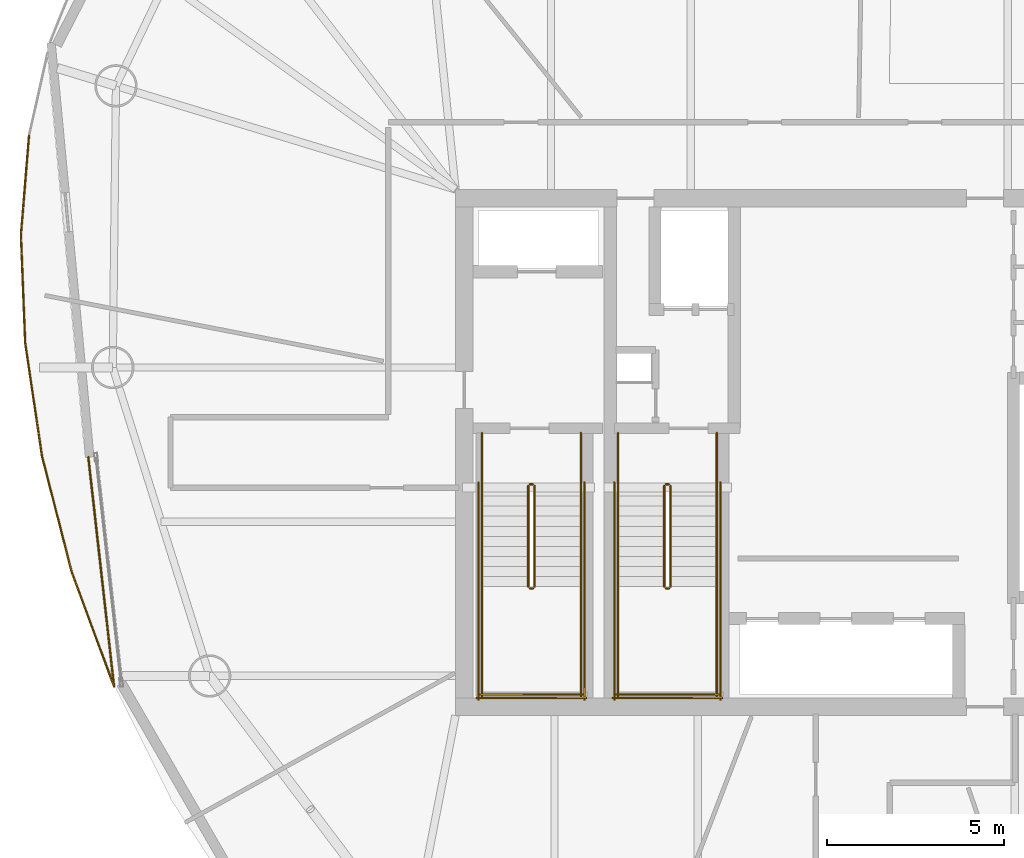
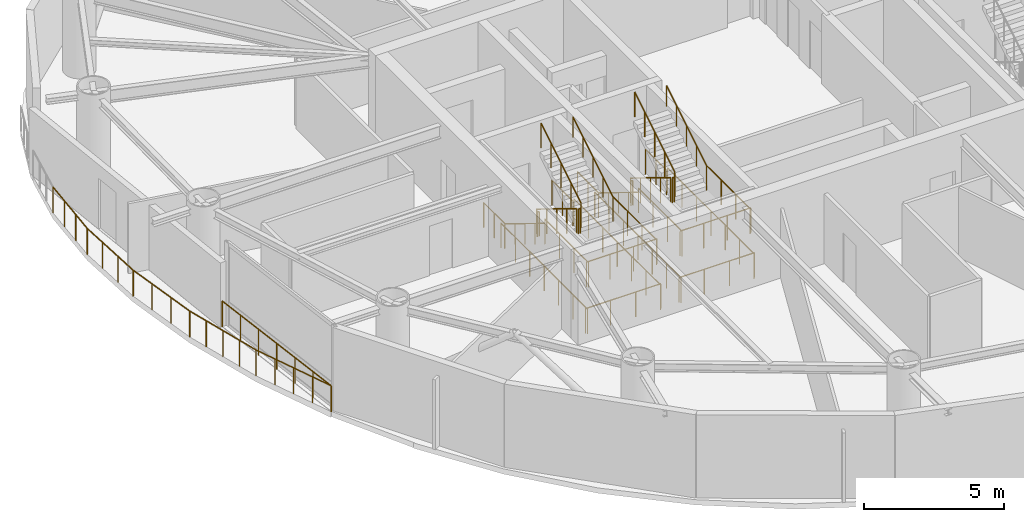
# One storey, part 16 of 18: 34 railings.
"""IFC4 building model written with IfcOpenShell, lengths in metres."""

from ifc_helpers import new_model, si_unit, direction, frame, origin, origin_2d, place, context, subcontext, project, spatial, circle, extrude, material, type_object, element, save


model = new_model("IFC4")

# Units and contexts
model_context = context("Model", 3, precision=1e-05, world=origin(), true_north=direction((0.0, 1.0)))
body_context = subcontext(model_context, "Body", "Model", "MODEL_VIEW")
ifc_project = project(units=[si_unit("LENGTHUNIT", "METRE"), si_unit("AREAUNIT", "SQUARE_METRE"), si_unit("VOLUMEUNIT", "CUBIC_METRE"), si_unit("PLANEANGLEUNIT", "RADIAN"), si_unit("MASSUNIT", "GRAM", prefix="KILO")], contexts=[model_context])

# Site, building, storey
site_placement = place(None, origin())
site = spatial("IfcSite", under=ifc_project, at=site_placement, CompositionType="ELEMENT")
building_placement = place(site_placement, origin())
building = spatial("IfcBuilding", under=site, at=building_placement, Name="Bramvorn Convention Spire", CompositionType="ELEMENT")
storey_placement = place(building_placement, frame((0.0, 0.0, 182.75)))
storey = spatial("IfcBuildingStorey", under=building, at=storey_placement, Name="L46", CompositionType="ELEMENT", Elevation=182.75)

# Railings
ifc_material_1 = material(Name="Painted Steel Balustrade & Guardrail", Category="steel")
railing_type_1 = type_object("IfcRailingType", Name="RL-STAIR-GUARD-1100", PredefinedType="GUARDRAIL", material=ifc_material_1)
railing_1_placement = place(storey_placement, frame((28.81005859375, 25.050048828125, 0.175048828125)))
element("IfcRailing", 1, at=railing_1_placement, inside=storey, type_object=railing_type_1, Name="L46 ST1 stair guard 1", PredefinedType="GUARDRAIL", context=body_context, shape_type="SweptSolid", body=[
    extrude(circle(Radius=0.02392578125, at=origin_2d()), frame((0.0, 0.0, 1.076171875), z_axis=(0.0, -0.852179220489, 0.52325001306), x_axis=(1.0, 0.0, 0.0)), (0.0, 0.0, 1.0), 3.344482421875),
    extrude(circle(Radius=0.02099609375, at=origin_2d()), origin(), (0.0, 0.0, 1.0), 1.052001953125),
    extrude(circle(Radius=0.02099609375, at=origin_2d()), frame((0.0, -0.71240234375, 0.4375)), (0.0, 0.0, 1.0), 1.052001953125),
    extrude(circle(Radius=0.02099609375, at=origin_2d()), frame((0.0, -1.425048828125, 0.875)), (0.0, 0.0, 1.0), 1.052001953125),
    extrude(circle(Radius=0.02099609375, at=origin_2d()), frame((0.0, -2.1376953125, 1.3125)), (0.0, 0.0, 1.0), 1.052001953125),
    extrude(circle(Radius=0.02099609375, at=origin_2d()), frame((0.0, -2.85009765625, 1.75)), (0.0, 0.0, 1.0), 1.052001953125),
])
railing_2_placement = place(storey_placement, frame((28.860107421875, 22.14990234375, 1.925048828125)))
element("IfcRailing", 2, at=railing_2_placement, inside=storey, type_object=railing_type_1, Name="L46 ST1 stair guard 2", PredefinedType="GUARDRAIL", context=body_context, shape_type="SweptSolid", body=[
    extrude(circle(Radius=0.02392578125, at=origin_2d()), frame((0.0, 0.0, 1.076171875), z_axis=(1.0, 0.0, 0.0), x_axis=(0.0, 1.0, 0.0)), (0.0, 0.0, 1.0), 0.079833984375),
    extrude(circle(Radius=0.02099609375, at=origin_2d()), origin(), (0.0, 0.0, 1.0), 1.052001953125),
    extrude(circle(Radius=0.02099609375, at=origin_2d()), frame((0.079833984375, 0.0, 0.0)), (0.0, 0.0, 1.0), 1.052001953125),
])
for number, where, name in (
    (3, (27.5, 22.199951171875, 1.925048828125), "L46 ST1 stair guard 3"),
    (4, (30.300048828125, 22.199951171875, 1.925048828125), "L46 ST1 stair guard 4"),
):
    element("IfcRailing", number, at=place(storey_placement, frame(where)), inside=storey, type_object=railing_type_1, Name=name, PredefinedType="GUARDRAIL", context=body_context, shape_type="SweptSolid", body=[
        extrude(circle(Radius=0.02392578125, at=origin_2d()), frame((0.0, 0.0, 1.076171875), z_axis=(0.0, -1.0, 0.0), x_axis=(1.0, 0.0, 0.0)), (0.0, 0.0, 1.0), 3.099853515625),
        extrude(circle(Radius=0.02099609375, at=origin_2d()), origin(), (0.0, 0.0, 1.0), 1.052001953125),
        extrude(circle(Radius=0.02099609375, at=origin_2d()), frame((0.0, -1.033203125, 0.0)), (0.0, 0.0, 1.0), 1.052001953125),
        extrude(circle(Radius=0.02099609375, at=origin_2d()), frame((0.0, -2.066650390625, 0.0)), (0.0, 0.0, 1.0), 1.052001953125),
        extrude(circle(Radius=0.02099609375, at=origin_2d()), frame((0.0, -3.099853515625, 0.0)), (0.0, 0.0, 1.0), 1.052001953125),
    ])
railing_3_placement = place(storey_placement, frame((27.449951171875, 19.14990234375, 1.925048828125)))
element("IfcRailing", 5, at=railing_3_placement, inside=storey, type_object=railing_type_1, Name="L46 ST1 stair guard 5", PredefinedType="GUARDRAIL", context=body_context, shape_type="SweptSolid", body=[
    extrude(circle(Radius=0.02392578125, at=origin_2d()), frame((0.0, 0.0, 1.076171875), z_axis=(1.0, 0.0, 0.0), x_axis=(0.0, 1.0, 0.0)), (0.0, 0.0, 1.0), 2.900146484375),
    extrude(circle(Radius=0.02099609375, at=origin_2d()), origin(), (0.0, 0.0, 1.0), 1.052001953125),
    extrude(circle(Radius=0.02099609375, at=origin_2d()), frame((0.966796875, 0.0, 0.0)), (0.0, 0.0, 1.0), 1.052001953125),
    extrude(circle(Radius=0.02099609375, at=origin_2d()), frame((1.933349609375, 0.0, 0.0)), (0.0, 0.0, 1.0), 1.052001953125),
    extrude(circle(Radius=0.02099609375, at=origin_2d()), frame((2.900146484375, 0.0, 0.0)), (0.0, 0.0, 1.0), 1.052001953125),
])
railing_4_placement = place(storey_placement, frame((28.989990234375, 22.199951171875, 2.10009765625)))
element("IfcRailing", 6, at=railing_4_placement, inside=storey, type_object=railing_type_1, Name="L46 ST1 stair guard 6", PredefinedType="GUARDRAIL", context=body_context, shape_type="SweptSolid", body=[
    extrude(circle(Radius=0.02392578125, at=origin_2d()), frame((0.0, 0.0, 1.076171875), z_axis=(0.0, 0.852179220489, 0.52325001306), x_axis=(-1.0, 0.0, 0.0)), (0.0, 0.0, 1.0), 3.344482421875),
    extrude(circle(Radius=0.02099609375, at=origin_2d()), origin(), (0.0, 0.0, 1.0), 1.052001953125),
    extrude(circle(Radius=0.02099609375, at=origin_2d()), frame((0.0, 0.71240234375, 0.4375)), (0.0, 0.0, 1.0), 1.052001953125),
    extrude(circle(Radius=0.02099609375, at=origin_2d()), frame((0.0, 1.425048828125, 0.875)), (0.0, 0.0, 1.0), 1.052001953125),
    extrude(circle(Radius=0.02099609375, at=origin_2d()), frame((0.0, 2.1376953125, 1.3125)), (0.0, 0.0, 1.0), 1.052001953125),
    extrude(circle(Radius=0.02099609375, at=origin_2d()), frame((0.0, 2.85009765625, 1.75)), (0.0, 0.0, 1.0), 1.052001953125),
])
railing_5_placement = place(storey_placement, frame((28.860107421875, 25.10009765625, 0.0)))
element("IfcRailing", 7, at=railing_5_placement, inside=storey, type_object=railing_type_1, Name="L46 ST1 stair guard 7", PredefinedType="GUARDRAIL", context=body_context, shape_type="SweptSolid", body=[
    extrude(circle(Radius=0.02392578125, at=origin_2d()), frame((0.0, 0.0, 1.076171875), z_axis=(1.0, 0.0, 0.0), x_axis=(0.0, 1.0, 0.0)), (0.0, 0.0, 1.0), 0.079833984375),
    extrude(circle(Radius=0.02099609375, at=origin_2d()), origin(), (0.0, 0.0, 1.0), 1.052001953125),
    extrude(circle(Radius=0.02099609375, at=origin_2d()), frame((0.079833984375, 0.0, 0.0)), (0.0, 0.0, 1.0), 1.052001953125),
])
for number, where, name in (
    (8, (27.5, 26.550048828125, 0.0), "L46 ST1 stair guard 8"),
    (9, (30.300048828125, 26.550048828125, 0.0), "L46 ST1 stair guard 9"),
):
    element("IfcRailing", number, at=place(storey_placement, frame(where)), inside=storey, type_object=railing_type_1, Name=name, PredefinedType="GUARDRAIL", context=body_context, shape_type="SweptSolid", body=[
        extrude(circle(Radius=0.02392578125, at=origin_2d()), frame((0.0, 0.0, 1.076171875), z_axis=(0.0, -1.0, 0.0), x_axis=(1.0, 0.0, 0.0)), (0.0, 0.0, 1.0), 1.5),
        extrude(circle(Radius=0.02099609375, at=origin_2d()), origin(), (0.0, 0.0, 1.0), 1.052001953125),
        extrude(circle(Radius=0.02099609375, at=origin_2d()), frame((0.0, -0.75, 0.0)), (0.0, 0.0, 1.0), 1.052001953125),
        extrude(circle(Radius=0.02099609375, at=origin_2d()), frame((0.0, -1.5, 0.0)), (0.0, 0.0, 1.0), 1.052001953125),
    ])
for number, where, name in (
    (10, (27.39990234375, 25.14990234375, 0.0), "L46 ST1 stair guard 10"),
    (11, (30.39990234375, 25.14990234375, 0.0), "L46 ST1 stair guard 11"),
):
    element("IfcRailing", number, at=place(storey_placement, frame(where)), inside=storey, type_object=railing_type_1, Name=name, PredefinedType="GUARDRAIL", context=body_context, shape_type="SweptSolid", body=[
        extrude(circle(Radius=0.02392578125, at=origin_2d()), frame((0.0, 0.0, 1.076171875), z_axis=(0.0, -1.0, 0.0), x_axis=(1.0, 0.0, 0.0)), (0.0, 0.0, 1.0), 6.14990234375),
        extrude(circle(Radius=0.02099609375, at=origin_2d()), origin(), (0.0, 0.0, 1.0), 1.052001953125),
        extrude(circle(Radius=0.02099609375, at=origin_2d()), frame((0.0, -1.02490234375, 0.0)), (0.0, 0.0, 1.0), 1.052001953125),
        extrude(circle(Radius=0.02099609375, at=origin_2d()), frame((0.0, -2.050048828125, 0.0)), (0.0, 0.0, 1.0), 1.052001953125),
        extrude(circle(Radius=0.02099609375, at=origin_2d()), frame((0.0, -3.074951171875, 0.0)), (0.0, 0.0, 1.0), 1.052001953125),
        extrude(circle(Radius=0.02099609375, at=origin_2d()), frame((0.0, -4.099853515625, 0.0)), (0.0, 0.0, 1.0), 1.052001953125),
        extrude(circle(Radius=0.02099609375, at=origin_2d()), frame((0.0, -5.125, 0.0)), (0.0, 0.0, 1.0), 1.052001953125),
        extrude(circle(Radius=0.02099609375, at=origin_2d()), frame((0.0, -6.14990234375, 0.0)), (0.0, 0.0, 1.0), 1.052001953125),
    ])
railing_6_placement = place(storey_placement, frame((27.35009765625, 19.050048828125, 0.0)))
element("IfcRailing", 12, at=railing_6_placement, inside=storey, type_object=railing_type_1, Name="L46 ST1 stair guard 12", PredefinedType="GUARDRAIL", context=body_context, shape_type="SweptSolid", body=[
    extrude(circle(Radius=0.02392578125, at=origin_2d()), frame((0.0, 0.0, 1.076171875), z_axis=(1.0, 0.0, 0.0), x_axis=(0.0, 1.0, 0.0)), (0.0, 0.0, 1.0), 3.099853515625),
    extrude(circle(Radius=0.02099609375, at=origin_2d()), origin(), (0.0, 0.0, 1.0), 1.052001953125),
    extrude(circle(Radius=0.02099609375, at=origin_2d()), frame((1.033203125, 0.0, 0.0)), (0.0, 0.0, 1.0), 1.052001953125),
    extrude(circle(Radius=0.02099609375, at=origin_2d()), frame((2.066650390625, 0.0, 0.0)), (0.0, 0.0, 1.0), 1.052001953125),
    extrude(circle(Radius=0.02099609375, at=origin_2d()), frame((3.099853515625, 0.0, 0.0)), (0.0, 0.0, 1.0), 1.052001953125),
])
railing_7_placement = place(storey_placement, frame((32.659912109375, 25.050048828125, 0.175048828125)))
element("IfcRailing", 13, at=railing_7_placement, inside=storey, type_object=railing_type_1, Name="L46 ST3 stair guard 1", PredefinedType="GUARDRAIL", context=body_context, shape_type="SweptSolid", body=[
    extrude(circle(Radius=0.02392578125, at=origin_2d()), frame((0.0, 0.0, 1.076171875), z_axis=(0.0, -0.852179220489, 0.52325001306), x_axis=(1.0, 0.0, 0.0)), (0.0, 0.0, 1.0), 3.344482421875),
    extrude(circle(Radius=0.02099609375, at=origin_2d()), origin(), (0.0, 0.0, 1.0), 1.052001953125),
    extrude(circle(Radius=0.02099609375, at=origin_2d()), frame((0.0, -0.71240234375, 0.4375)), (0.0, 0.0, 1.0), 1.052001953125),
    extrude(circle(Radius=0.02099609375, at=origin_2d()), frame((0.0, -1.425048828125, 0.875)), (0.0, 0.0, 1.0), 1.052001953125),
    extrude(circle(Radius=0.02099609375, at=origin_2d()), frame((0.0, -2.1376953125, 1.3125)), (0.0, 0.0, 1.0), 1.052001953125),
    extrude(circle(Radius=0.02099609375, at=origin_2d()), frame((0.0, -2.85009765625, 1.75)), (0.0, 0.0, 1.0), 1.052001953125),
])
railing_8_placement = place(storey_placement, frame((32.7099609375, 22.14990234375, 1.925048828125)))
element("IfcRailing", 14, at=railing_8_placement, inside=storey, type_object=railing_type_1, Name="L46 ST3 stair guard 2", PredefinedType="GUARDRAIL", context=body_context, shape_type="SweptSolid", body=[
    extrude(circle(Radius=0.02392578125, at=origin_2d()), frame((0.0, 0.0, 1.076171875), z_axis=(1.0, 0.0, 0.0), x_axis=(0.0, 1.0, 0.0)), (0.0, 0.0, 1.0), 0.080078125),
    extrude(circle(Radius=0.02099609375, at=origin_2d()), origin(), (0.0, 0.0, 1.0), 1.052001953125),
    extrude(circle(Radius=0.02099609375, at=origin_2d()), frame((0.080078125, 0.0, 0.0)), (0.0, 0.0, 1.0), 1.052001953125),
])
for number, where, name in (
    (15, (31.35009765625, 22.199951171875, 1.925048828125), "L46 ST3 stair guard 3"),
    (16, (34.14990234375, 22.199951171875, 1.925048828125), "L46 ST3 stair guard 4"),
):
    element("IfcRailing", number, at=place(storey_placement, frame(where)), inside=storey, type_object=railing_type_1, Name=name, PredefinedType="GUARDRAIL", context=body_context, shape_type="SweptSolid", body=[
        extrude(circle(Radius=0.02392578125, at=origin_2d()), frame((0.0, 0.0, 1.076171875), z_axis=(0.0, -1.0, 0.0), x_axis=(1.0, 0.0, 0.0)), (0.0, 0.0, 1.0), 3.099853515625),
        extrude(circle(Radius=0.02099609375, at=origin_2d()), origin(), (0.0, 0.0, 1.0), 1.052001953125),
        extrude(circle(Radius=0.02099609375, at=origin_2d()), frame((0.0, -1.033203125, 0.0)), (0.0, 0.0, 1.0), 1.052001953125),
        extrude(circle(Radius=0.02099609375, at=origin_2d()), frame((0.0, -2.066650390625, 0.0)), (0.0, 0.0, 1.0), 1.052001953125),
        extrude(circle(Radius=0.02099609375, at=origin_2d()), frame((0.0, -3.099853515625, 0.0)), (0.0, 0.0, 1.0), 1.052001953125),
    ])
railing_9_placement = place(storey_placement, frame((31.300048828125, 19.14990234375, 1.925048828125)))
element("IfcRailing", 17, at=railing_9_placement, inside=storey, type_object=railing_type_1, Name="L46 ST3 stair guard 5", PredefinedType="GUARDRAIL", context=body_context, shape_type="SweptSolid", body=[
    extrude(circle(Radius=0.02392578125, at=origin_2d()), frame((0.0, 0.0, 1.076171875), z_axis=(1.0, 0.0, 0.0), x_axis=(0.0, 1.0, 0.0)), (0.0, 0.0, 1.0), 2.89990234375),
    extrude(circle(Radius=0.02099609375, at=origin_2d()), origin(), (0.0, 0.0, 1.0), 1.052001953125),
    extrude(circle(Radius=0.02099609375, at=origin_2d()), frame((0.966552734375, 0.0, 0.0)), (0.0, 0.0, 1.0), 1.052001953125),
    extrude(circle(Radius=0.02099609375, at=origin_2d()), frame((1.933349609375, 0.0, 0.0)), (0.0, 0.0, 1.0), 1.052001953125),
    extrude(circle(Radius=0.02099609375, at=origin_2d()), frame((2.89990234375, 0.0, 0.0)), (0.0, 0.0, 1.0), 1.052001953125),
])
railing_10_placement = place(storey_placement, frame((32.840087890625, 22.199951171875, 2.10009765625)))
element("IfcRailing", 18, at=railing_10_placement, inside=storey, type_object=railing_type_1, Name="L46 ST3 stair guard 6", PredefinedType="GUARDRAIL", context=body_context, shape_type="SweptSolid", body=[
    extrude(circle(Radius=0.02392578125, at=origin_2d()), frame((0.0, 0.0, 1.076171875), z_axis=(0.0, 0.852179220489, 0.52325001306), x_axis=(-1.0, 0.0, 0.0)), (0.0, 0.0, 1.0), 3.344482421875),
    extrude(circle(Radius=0.02099609375, at=origin_2d()), origin(), (0.0, 0.0, 1.0), 1.052001953125),
    extrude(circle(Radius=0.02099609375, at=origin_2d()), frame((0.0, 0.71240234375, 0.4375)), (0.0, 0.0, 1.0), 1.052001953125),
    extrude(circle(Radius=0.02099609375, at=origin_2d()), frame((0.0, 1.425048828125, 0.875)), (0.0, 0.0, 1.0), 1.052001953125),
    extrude(circle(Radius=0.02099609375, at=origin_2d()), frame((0.0, 2.1376953125, 1.3125)), (0.0, 0.0, 1.0), 1.052001953125),
    extrude(circle(Radius=0.02099609375, at=origin_2d()), frame((0.0, 2.85009765625, 1.75)), (0.0, 0.0, 1.0), 1.052001953125),
])
railing_11_placement = place(storey_placement, frame((32.7099609375, 25.10009765625, 0.0)))
element("IfcRailing", 19, at=railing_11_placement, inside=storey, type_object=railing_type_1, Name="L46 ST3 stair guard 7", PredefinedType="GUARDRAIL", context=body_context, shape_type="SweptSolid", body=[
    extrude(circle(Radius=0.02392578125, at=origin_2d()), frame((0.0, 0.0, 1.076171875), z_axis=(1.0, 0.0, 0.0), x_axis=(0.0, 1.0, 0.0)), (0.0, 0.0, 1.0), 0.080078125),
    extrude(circle(Radius=0.02099609375, at=origin_2d()), origin(), (0.0, 0.0, 1.0), 1.052001953125),
    extrude(circle(Radius=0.02099609375, at=origin_2d()), frame((0.080078125, 0.0, 0.0)), (0.0, 0.0, 1.0), 1.052001953125),
])
for number, where, name in (
    (20, (31.35009765625, 26.550048828125, 0.0), "L46 ST3 stair guard 8"),
    (21, (34.14990234375, 26.550048828125, 0.0), "L46 ST3 stair guard 9"),
):
    element("IfcRailing", number, at=place(storey_placement, frame(where)), inside=storey, type_object=railing_type_1, Name=name, PredefinedType="GUARDRAIL", context=body_context, shape_type="SweptSolid", body=[
        extrude(circle(Radius=0.02392578125, at=origin_2d()), frame((0.0, 0.0, 1.076171875), z_axis=(0.0, -1.0, 0.0), x_axis=(1.0, 0.0, 0.0)), (0.0, 0.0, 1.0), 1.5),
        extrude(circle(Radius=0.02099609375, at=origin_2d()), origin(), (0.0, 0.0, 1.0), 1.052001953125),
        extrude(circle(Radius=0.02099609375, at=origin_2d()), frame((0.0, -0.75, 0.0)), (0.0, 0.0, 1.0), 1.052001953125),
        extrude(circle(Radius=0.02099609375, at=origin_2d()), frame((0.0, -1.5, 0.0)), (0.0, 0.0, 1.0), 1.052001953125),
    ])
for number, where, name in (
    (22, (31.25, 25.14990234375, 0.0), "L46 ST3 stair guard 10"),
    (23, (34.25, 25.14990234375, 0.0), "L46 ST3 stair guard 11"),
):
    element("IfcRailing", number, at=place(storey_placement, frame(where)), inside=storey, type_object=railing_type_1, Name=name, PredefinedType="GUARDRAIL", context=body_context, shape_type="SweptSolid", body=[
        extrude(circle(Radius=0.02392578125, at=origin_2d()), frame((0.0, 0.0, 1.076171875), z_axis=(0.0, -1.0, 0.0), x_axis=(1.0, 0.0, 0.0)), (0.0, 0.0, 1.0), 6.14990234375),
        extrude(circle(Radius=0.02099609375, at=origin_2d()), origin(), (0.0, 0.0, 1.0), 1.052001953125),
        extrude(circle(Radius=0.02099609375, at=origin_2d()), frame((0.0, -1.02490234375, 0.0)), (0.0, 0.0, 1.0), 1.052001953125),
        extrude(circle(Radius=0.02099609375, at=origin_2d()), frame((0.0, -2.050048828125, 0.0)), (0.0, 0.0, 1.0), 1.052001953125),
        extrude(circle(Radius=0.02099609375, at=origin_2d()), frame((0.0, -3.074951171875, 0.0)), (0.0, 0.0, 1.0), 1.052001953125),
        extrude(circle(Radius=0.02099609375, at=origin_2d()), frame((0.0, -4.099853515625, 0.0)), (0.0, 0.0, 1.0), 1.052001953125),
        extrude(circle(Radius=0.02099609375, at=origin_2d()), frame((0.0, -5.125, 0.0)), (0.0, 0.0, 1.0), 1.052001953125),
        extrude(circle(Radius=0.02099609375, at=origin_2d()), frame((0.0, -6.14990234375, 0.0)), (0.0, 0.0, 1.0), 1.052001953125),
    ])
railing_12_placement = place(storey_placement, frame((31.199951171875, 19.050048828125, 0.0)))
element("IfcRailing", 24, at=railing_12_placement, inside=storey, type_object=railing_type_1, Name="L46 ST3 stair guard 12", PredefinedType="GUARDRAIL", context=body_context, shape_type="SweptSolid", body=[
    extrude(circle(Radius=0.02392578125, at=origin_2d()), frame((0.0, 0.0, 1.076171875), z_axis=(1.0, 0.0, 0.0), x_axis=(0.0, 1.0, 0.0)), (0.0, 0.0, 1.0), 3.10009765625),
    extrude(circle(Radius=0.02099609375, at=origin_2d()), origin(), (0.0, 0.0, 1.0), 1.052001953125),
    extrude(circle(Radius=0.02099609375, at=origin_2d()), frame((1.033447265625, 0.0, 0.0)), (0.0, 0.0, 1.0), 1.052001953125),
    extrude(circle(Radius=0.02099609375, at=origin_2d()), frame((2.066650390625, 0.0, 0.0)), (0.0, 0.0, 1.0), 1.052001953125),
    extrude(circle(Radius=0.02099609375, at=origin_2d()), frame((3.10009765625, 0.0, 0.0)), (0.0, 0.0, 1.0), 1.052001953125),
])
ifc_material_2 = material(Name="Brushed Bronze Tubular Handrail", Category="aluminium")
railing_type_2 = type_object("IfcRailingType", Name="RL-STAIR-HR-920", PredefinedType="HANDRAIL", material=ifc_material_2)
railing_13_placement = place(storey_placement, frame((27.5, 25.050048828125, 0.175048828125)))
element("IfcRailing", 25, at=railing_13_placement, inside=storey, type_object=railing_type_2, Name="L46 ST1 stair handrail 1", PredefinedType="HANDRAIL", context=body_context, shape_type="SweptSolid", body=[
    extrude(circle(Radius=0.02392578125, at=origin_2d()), frame((0.0, 0.0, 0.89599609375), z_axis=(0.0, -0.852179220489, 0.52325001306), x_axis=(1.0, 0.0, 0.0)), (0.0, 0.0, 1.0), 3.344482421875),
    extrude(circle(Radius=0.02099609375, at=origin_2d()), origin(), (0.0, 0.0, 1.0), 0.871826171875),
    extrude(circle(Radius=0.02099609375, at=origin_2d()), frame((0.0, -0.71240234375, 0.4375)), (0.0, 0.0, 1.0), 0.871826171875),
    extrude(circle(Radius=0.02099609375, at=origin_2d()), frame((0.0, -1.425048828125, 0.875)), (0.0, 0.0, 1.0), 0.871826171875),
    extrude(circle(Radius=0.02099609375, at=origin_2d()), frame((0.0, -2.1376953125, 1.3125)), (0.0, 0.0, 1.0), 0.871826171875),
    extrude(circle(Radius=0.02099609375, at=origin_2d()), frame((0.0, -2.85009765625, 1.75)), (0.0, 0.0, 1.0), 0.871826171875),
])
railing_14_placement = place(storey_placement, frame((30.300048828125, 22.199951171875, 2.10009765625)))
element("IfcRailing", 26, at=railing_14_placement, inside=storey, type_object=railing_type_2, Name="L46 ST1 stair handrail 2", PredefinedType="HANDRAIL", context=body_context, shape_type="SweptSolid", body=[
    extrude(circle(Radius=0.02392578125, at=origin_2d()), frame((0.0, 0.0, 0.89599609375), z_axis=(0.0, 0.852179220489, 0.52325001306), x_axis=(-1.0, 0.0, 0.0)), (0.0, 0.0, 1.0), 3.344482421875),
    extrude(circle(Radius=0.02099609375, at=origin_2d()), origin(), (0.0, 0.0, 1.0), 0.871826171875),
    extrude(circle(Radius=0.02099609375, at=origin_2d()), frame((0.0, 0.71240234375, 0.4375)), (0.0, 0.0, 1.0), 0.871826171875),
    extrude(circle(Radius=0.02099609375, at=origin_2d()), frame((0.0, 1.425048828125, 0.875)), (0.0, 0.0, 1.0), 0.871826171875),
    extrude(circle(Radius=0.02099609375, at=origin_2d()), frame((0.0, 2.1376953125, 1.3125)), (0.0, 0.0, 1.0), 0.871826171875),
    extrude(circle(Radius=0.02099609375, at=origin_2d()), frame((0.0, 2.85009765625, 1.75)), (0.0, 0.0, 1.0), 0.871826171875),
])
railing_15_placement = place(storey_placement, frame((31.35009765625, 25.050048828125, 0.175048828125)))
element("IfcRailing", 27, at=railing_15_placement, inside=storey, type_object=railing_type_2, Name="L46 ST3 stair handrail 1", PredefinedType="HANDRAIL", context=body_context, shape_type="SweptSolid", body=[
    extrude(circle(Radius=0.02392578125, at=origin_2d()), frame((0.0, 0.0, 0.89599609375), z_axis=(0.0, -0.852179220489, 0.52325001306), x_axis=(1.0, 0.0, 0.0)), (0.0, 0.0, 1.0), 3.344482421875),
    extrude(circle(Radius=0.02099609375, at=origin_2d()), origin(), (0.0, 0.0, 1.0), 0.871826171875),
    extrude(circle(Radius=0.02099609375, at=origin_2d()), frame((0.0, -0.71240234375, 0.4375)), (0.0, 0.0, 1.0), 0.871826171875),
    extrude(circle(Radius=0.02099609375, at=origin_2d()), frame((0.0, -1.425048828125, 0.875)), (0.0, 0.0, 1.0), 0.871826171875),
    extrude(circle(Radius=0.02099609375, at=origin_2d()), frame((0.0, -2.1376953125, 1.3125)), (0.0, 0.0, 1.0), 0.871826171875),
    extrude(circle(Radius=0.02099609375, at=origin_2d()), frame((0.0, -2.85009765625, 1.75)), (0.0, 0.0, 1.0), 0.871826171875),
])
railing_16_placement = place(storey_placement, frame((34.14990234375, 22.199951171875, 2.10009765625)))
element("IfcRailing", 28, at=railing_16_placement, inside=storey, type_object=railing_type_2, Name="L46 ST3 stair handrail 2", PredefinedType="HANDRAIL", context=body_context, shape_type="SweptSolid", body=[
    extrude(circle(Radius=0.02392578125, at=origin_2d()), frame((0.0, 0.0, 0.89599609375), z_axis=(0.0, 0.852179220489, 0.52325001306), x_axis=(-1.0, 0.0, 0.0)), (0.0, 0.0, 1.0), 3.344482421875),
    extrude(circle(Radius=0.02099609375, at=origin_2d()), origin(), (0.0, 0.0, 1.0), 0.871826171875),
    extrude(circle(Radius=0.02099609375, at=origin_2d()), frame((0.0, 0.71240234375, 0.4375)), (0.0, 0.0, 1.0), 0.871826171875),
    extrude(circle(Radius=0.02099609375, at=origin_2d()), frame((0.0, 1.425048828125, 0.875)), (0.0, 0.0, 1.0), 0.871826171875),
    extrude(circle(Radius=0.02099609375, at=origin_2d()), frame((0.0, 2.1376953125, 1.3125)), (0.0, 0.0, 1.0), 0.871826171875),
    extrude(circle(Radius=0.02099609375, at=origin_2d()), frame((0.0, 2.85009765625, 1.75)), (0.0, 0.0, 1.0), 0.871826171875),
])
ifc_material_3 = material(Name="Bronze Cap-Rail & Laminated Structural Glass Balustrade", Category="glass")
railing_type_3 = type_object("IfcRailingType", Name="RL-TERR-GUARD-1150", PredefinedType="GUARDRAIL", material=ifc_material_3)
railing_17_placement = place(storey_placement, frame((15.039306640625, 25.902587890625, 0.0)))
element("IfcRailing", 29, at=railing_17_placement, inside=storey, type_object=railing_type_3, Name="L46 Sky Garden perimeter safety guardrail 1", PredefinedType="GUARDRAIL", context=body_context, shape_type="SweptSolid", body=[
    extrude(circle(Radius=0.02392578125, at=origin_2d()), frame((0.0, 0.0, 1.1259765625), z_axis=(0.247853754322, -0.96879745895, 0.0), x_axis=(0.96879745895, 0.247853754322, 0.0)), (0.0, 0.0, 1.0), 3.378662109375),
    extrude(circle(Radius=0.02099609375, at=origin_2d()), origin(), (0.0, 0.0, 1.0), 1.101806640625),
    extrude(circle(Radius=0.02099609375, at=origin_2d()), frame((0.20947265625, -0.818359375, 0.0)), (0.0, 0.0, 1.0), 1.101806640625),
    extrude(circle(Radius=0.02099609375, at=origin_2d()), frame((0.418701171875, -1.63671875, 0.0)), (0.0, 0.0, 1.0), 1.101806640625),
    extrude(circle(Radius=0.02099609375, at=origin_2d()), frame((0.6279296875, -2.454833984375, 0.0)), (0.0, 0.0, 1.0), 1.101806640625),
    extrude(circle(Radius=0.02099609375, at=origin_2d()), frame((0.83740234375, -3.273193359375, 0.0)), (0.0, 0.0, 1.0), 1.101806640625),
])
railing_18_placement = place(storey_placement, frame((15.876708984375, 22.62939453125, 0.0)))
element("IfcRailing", 30, at=railing_18_placement, inside=storey, type_object=railing_type_3, Name="L46 Sky Garden perimeter safety guardrail 2", PredefinedType="GUARDRAIL", context=body_context, shape_type="SweptSolid", body=[
    extrude(circle(Radius=0.02392578125, at=origin_2d()), frame((0.0, 0.0, 1.1259765625), z_axis=(0.34694156065, -0.937886748757, 0.0), x_axis=(0.937886748757, 0.34694156065, 0.0)), (0.0, 0.0, 1.0), 3.47705078125),
    extrude(circle(Radius=0.02099609375, at=origin_2d()), origin(), (0.0, 0.0, 1.0), 1.101806640625),
    extrude(circle(Radius=0.02099609375, at=origin_2d()), frame((0.301513671875, -0.815185546875, 0.0)), (0.0, 0.0, 1.0), 1.101806640625),
    extrude(circle(Radius=0.02099609375, at=origin_2d()), frame((0.60302734375, -1.63037109375, 0.0)), (0.0, 0.0, 1.0), 1.101806640625),
    extrude(circle(Radius=0.02099609375, at=origin_2d()), frame((0.90478515625, -2.44580078125, 0.0)), (0.0, 0.0, 1.0), 1.101806640625),
    extrude(circle(Radius=0.02099609375, at=origin_2d()), frame((1.206298828125, -3.260986328125, 0.0)), (0.0, 0.0, 1.0), 1.101806640625),
])
railing_19_placement = place(storey_placement, frame((17.0830078125, 19.368408203125, 0.0)))
element("IfcRailing", 31, at=railing_19_placement, inside=storey, type_object=railing_type_3, Name="L46 Sky Garden perimeter safety guardrail 3", PredefinedType="GUARDRAIL", context=body_context, shape_type="SweptSolid", body=[
    extrude(circle(Radius=0.02392578125, at=origin_2d()), frame((0.0, 0.0, 1.1259765625), z_axis=(-0.111550070932, 0.99375881464, 0.0), x_axis=(-0.99375881464, -0.111550070932, 0.0)), (0.0, 0.0, 1.0), 6.53955078125),
    extrude(circle(Radius=0.02099609375, at=origin_2d()), origin(), (0.0, 0.0, 1.0), 1.101806640625),
    extrude(circle(Radius=0.02099609375, at=origin_2d()), frame((-0.12158203125, 1.0830078125, 0.0)), (0.0, 0.0, 1.0), 1.101806640625),
    extrude(circle(Radius=0.02099609375, at=origin_2d()), frame((-0.2431640625, 2.166259765625, 0.0)), (0.0, 0.0, 1.0), 1.101806640625),
    extrude(circle(Radius=0.02099609375, at=origin_2d()), frame((-0.36474609375, 3.24951171875, 0.0)), (0.0, 0.0, 1.0), 1.101806640625),
    extrude(circle(Radius=0.02099609375, at=origin_2d()), frame((-0.486328125, 4.33251953125, 0.0)), (0.0, 0.0, 1.0), 1.101806640625),
    extrude(circle(Radius=0.02099609375, at=origin_2d()), frame((-0.60791015625, 5.41552734375, 0.0)), (0.0, 0.0, 1.0), 1.101806640625),
    extrude(circle(Radius=0.02099609375, at=origin_2d()), frame((-0.7294921875, 6.498779296875, 0.0)), (0.0, 0.0, 1.0), 1.101806640625),
])
railing_20_placement = place(storey_placement, frame((14.675537109375, 35.013916015625, 0.0)))
element("IfcRailing", 32, at=railing_20_placement, inside=storey, type_object=railing_type_3, Name="L46 Sky Garden perimeter safety guardrail 5", PredefinedType="GUARDRAIL", context=body_context, shape_type="SweptSolid", body=[
    extrude(circle(Radius=0.02392578125, at=origin_2d()), frame((0.0, 0.0, 1.1259765625), z_axis=(-0.081111287325, -0.99670505119, 0.0), x_axis=(0.99670505119, -0.081111287325, 0.0)), (0.0, 0.0, 1.0), 2.862548828125),
    extrude(circle(Radius=0.02099609375, at=origin_2d()), origin(), (0.0, 0.0, 1.0), 1.101806640625),
    extrude(circle(Radius=0.02099609375, at=origin_2d()), frame((-0.077392578125, -0.950927734375, 0.0)), (0.0, 0.0, 1.0), 1.101806640625),
    extrude(circle(Radius=0.02099609375, at=origin_2d()), frame((-0.15478515625, -1.902099609375, 0.0)), (0.0, 0.0, 1.0), 1.101806640625),
    extrude(circle(Radius=0.02099609375, at=origin_2d()), frame((-0.232177734375, -2.85302734375, 0.0)), (0.0, 0.0, 1.0), 1.101806640625),
])
railing_21_placement = place(storey_placement, frame((14.443359375, 32.160888671875, 0.0)))
element("IfcRailing", 33, at=railing_21_placement, inside=storey, type_object=railing_type_3, Name="L46 Sky Garden perimeter safety guardrail 6", PredefinedType="GUARDRAIL", context=body_context, shape_type="SweptSolid", body=[
    extrude(circle(Radius=0.02392578125, at=origin_2d()), frame((0.0, 0.0, 1.1259765625), z_axis=(0.039346504301, -0.999225626472, 0.0), x_axis=(0.999225626472, 0.039346504301, 0.0)), (0.0, 0.0, 1.0), 3.05908203125),
    extrude(circle(Radius=0.02099609375, at=origin_2d()), origin(), (0.0, 0.0, 1.0), 1.101806640625),
    extrude(circle(Radius=0.02099609375, at=origin_2d()), frame((0.0400390625, -1.018798828125, 0.0)), (0.0, 0.0, 1.0), 1.101806640625),
    extrude(circle(Radius=0.02099609375, at=origin_2d()), frame((0.080322265625, -2.037841796875, 0.0)), (0.0, 0.0, 1.0), 1.101806640625),
    extrude(circle(Radius=0.02099609375, at=origin_2d()), frame((0.120361328125, -3.056640625, 0.0)), (0.0, 0.0, 1.0), 1.101806640625),
])
railing_22_placement = place(storey_placement, frame((14.563720703125, 29.104248046875, 0.0)))
element("IfcRailing", 34, at=railing_22_placement, inside=storey, type_object=railing_type_3, Name="L46 Sky Garden perimeter safety guardrail 7", PredefinedType="GUARDRAIL", context=body_context, shape_type="SweptSolid", body=[
    extrude(circle(Radius=0.02392578125, at=origin_2d()), frame((0.0, 0.0, 1.1259765625), z_axis=(0.146931352403, -0.98914669169, 0.0), x_axis=(0.98914669169, 0.146931352403, 0.0)), (0.0, 0.0, 1.0), 3.23681640625),
    extrude(circle(Radius=0.02099609375, at=origin_2d()), origin(), (0.0, 0.0, 1.0), 1.101806640625),
    extrude(circle(Radius=0.02099609375, at=origin_2d()), frame((0.158447265625, -1.067138671875, 0.0)), (0.0, 0.0, 1.0), 1.101806640625),
    extrude(circle(Radius=0.02099609375, at=origin_2d()), frame((0.317138671875, -2.134521484375, 0.0)), (0.0, 0.0, 1.0), 1.101806640625),
    extrude(circle(Radius=0.02099609375, at=origin_2d()), frame((0.4755859375, -3.20166015625, 0.0)), (0.0, 0.0, 1.0), 1.101806640625),
])

save(model, "model.ifc")
